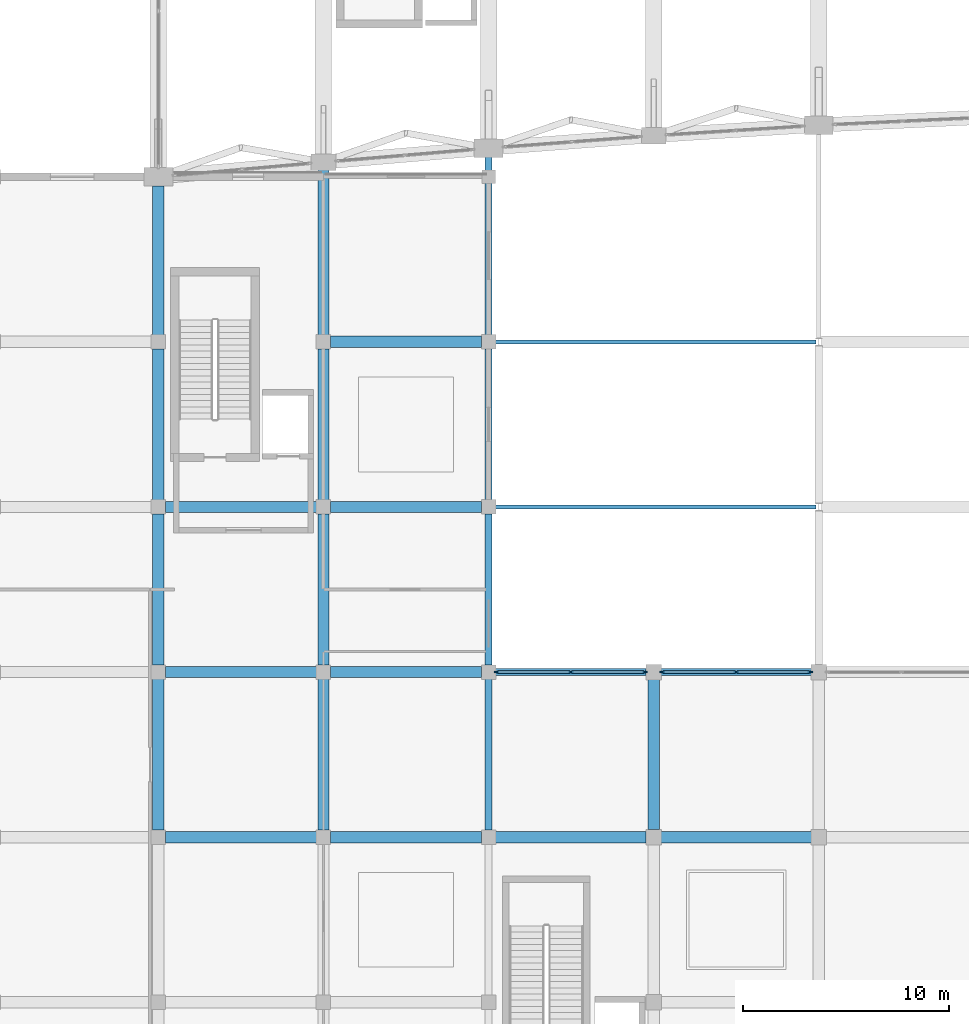
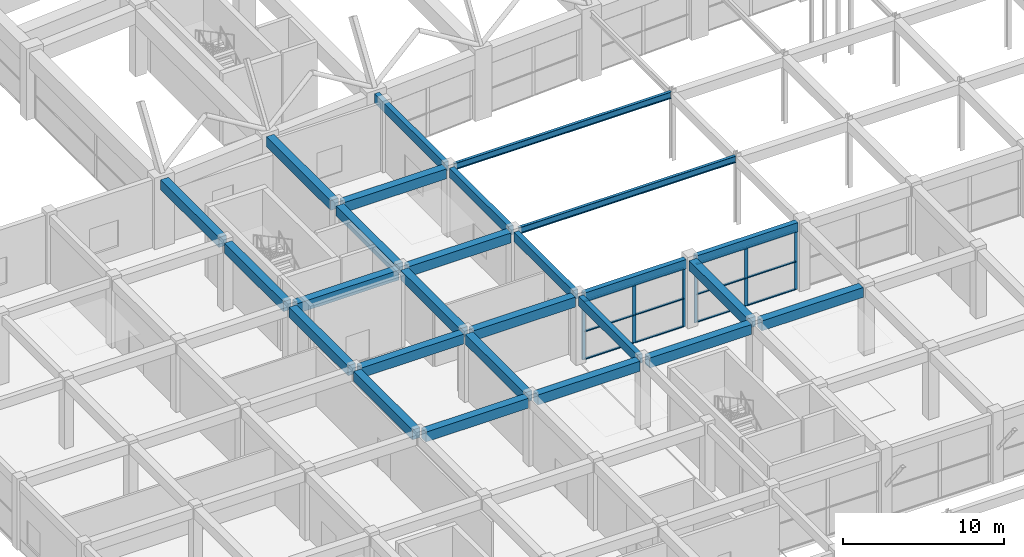
# One storey, part 12 of 69: 26 beams, 18 members, 2 elements without a shape of their own.
"""IFC4 building model written with IfcOpenShell, lengths in metres."""

from ifc_helpers import new_model, si_unit, direction, frame, origin, origin_2d, place, context, subcontext, project, spatial, rectangle, i_section, extrude, material, material_profile, profile_set, type_object, element, aggregate, save


model = new_model("IFC4")

# Units and contexts
model_context = context("Model", 3, precision=1e-05, world=origin(), true_north=direction((0.0, 1.0)))
body_context = subcontext(model_context, "Body", "Model", "MODEL_VIEW")
ifc_project = project(units=[si_unit("LENGTHUNIT", "METRE"), si_unit("AREAUNIT", "SQUARE_METRE"), si_unit("VOLUMEUNIT", "CUBIC_METRE"), si_unit("PLANEANGLEUNIT", "RADIAN"), si_unit("MASSUNIT", "GRAM", prefix="KILO")], contexts=[model_context])

# Site, building, storey
site_placement = place(None, origin())
site = spatial("IfcSite", under=ifc_project, at=site_placement, CompositionType="ELEMENT")
building_placement = place(site_placement, origin())
building = spatial("IfcBuilding", under=site, at=building_placement, Name="Kenh Van Central Station", CompositionType="ELEMENT")
storey_placement = place(building_placement, frame((0.0, 0.0, 5.39990234375)))
storey = spatial("IfcBuildingStorey", under=building, at=storey_placement, Name="L01", CompositionType="ELEMENT", Elevation=5.39990234375)

# Beams
ifc_material_1 = material(Name="Concrete C35/45", Category="concrete")
ifc_material_profile_1 = material_profile(ifc_material_1, rectangle(XDim=0.550048828125, YDim=0.75, at=origin_2d()), Name="RC 550x750")
ifc_profile_set_1 = profile_set([ifc_material_profile_1], Name="Concrete C35/45")
beam_type_1 = type_object("IfcBeamType", Name="BM-RC-550x750", PredefinedType="BEAM", material=ifc_profile_set_1)
for number, where, z_axis, x_axis, name in (
    (1, (32.340087890625, 32.0, 4.76513671875), (1.0, 0.0, 0.0), (0.0, 1.0, 0.0), "L01 beam 0674"),
    (2, (40.340087890625, 32.0, 4.76513671875), (1.0, 0.0, 0.0), (0.0, 1.0, 0.0), "L01 beam 0675"),
):
    element("IfcBeam", number, at=place(storey_placement, frame(where, z_axis=z_axis, x_axis=x_axis)), inside=storey, type_object=beam_type_1, Name=name, PredefinedType="BEAM", context=body_context, shape_type="SweptSolid", body=[
        extrude(rectangle(XDim=0.550048828125, YDim=0.75, at=origin_2d()), origin(), (0.0, 0.0, 1.0), 7.31982421875),
    ])
beam_1_placement = place(storey_placement, frame((48.340087890625, 32.0, 4.755126953125), z_axis=(1.0, 0.0, 0.0), x_axis=(0.0, 1.0, 0.0)))
element("IfcBeam", 3, at=beam_1_placement, inside=storey, type_object=beam_type_1, Name="L01 beam 0676", PredefinedType="BEAM", context=body_context, shape_type="SweptSolid", body=[
    extrude(rectangle(XDim=0.550048828125, YDim=0.75, at=origin_2d()), origin(), (0.0, 0.0, 1.0), 7.294921875),
])
beam_2_placement = place(storey_placement, frame((56.364990234375, 32.0, 4.755126953125), z_axis=(1.0, 0.0, 0.0), x_axis=(0.0, 1.0, 0.0)))
element("IfcBeam", 4, at=beam_2_placement, inside=storey, type_object=beam_type_1, Name="L01 beam 0677", PredefinedType="BEAM", context=body_context, shape_type="SweptSolid", body=[
    extrude(rectangle(XDim=0.550048828125, YDim=0.75, at=origin_2d()), origin(), (0.0, 0.0, 1.0), 7.27001953125),
])
for number, where, z_axis, x_axis, name in (
    (5, (32.340087890625, 40.0, 4.76513671875), (1.0, 0.0, 0.0), (0.0, 1.0, 0.0), "L01 beam 0690"),
    (6, (40.340087890625, 40.0, 4.76513671875), (1.0, 0.0, 0.0), (0.0, 1.0, 0.0), "L01 beam 0691"),
    (7, (32.340087890625, 48.0, 4.76513671875), (1.0, 0.0, 0.0), (0.0, 1.0, 0.0), "L01 beam 0710"),
    (8, (40.340087890625, 48.0, 4.76513671875), (1.0, 0.0, 0.0), (0.0, 1.0, 0.0), "L01 beam 0711"),
    (9, (40.340087890625, 56.0, 4.76513671875), (1.0, 0.0, 0.0), (0.0, 1.0, 0.0), "L01 beam 0726"),
    (10, (32.0, 32.340087890625, 4.76513671875), (0.0, 1.0, 0.0), (-1.0, 0.0, 0.0), "L01 beam 0788"),
    (11, (32.0, 40.340087890625, 4.76513671875), (0.0, 1.0, 0.0), (-1.0, 0.0, 0.0), "L01 beam 0789"),
    (12, (32.0, 48.340087890625, 4.76513671875), (0.0, 1.0, 0.0), (-1.0, 0.0, 0.0), "L01 beam 0790"),
):
    element("IfcBeam", number, at=place(storey_placement, frame(where, z_axis=z_axis, x_axis=x_axis)), inside=storey, type_object=beam_type_1, Name=name, PredefinedType="BEAM", context=body_context, shape_type="SweptSolid", body=[
        extrude(rectangle(XDim=0.550048828125, YDim=0.75, at=origin_2d()), origin(), (0.0, 0.0, 1.0), 7.31982421875),
    ])
beam_3_placement = place(storey_placement, frame((32.0, 56.340087890625, 4.76513671875), z_axis=(0.0, 1.0, 0.0), x_axis=(-1.0, 0.0, 0.0)))
element("IfcBeam", 13, at=beam_3_placement, inside=storey, type_object=beam_type_1, Name="L01 beam 0791", PredefinedType="BEAM", context=body_context, shape_type="SweptSolid", body=[
    extrude(rectangle(XDim=0.550048828125, YDim=0.75, at=origin_2d()), origin(), (0.0, 0.0, 1.0), 7.219970703125),
])
for number, where, z_axis, x_axis, name in (
    (14, (40.0, 32.340087890625, 4.76513671875), (0.0, 1.0, 0.0), (-1.0, 0.0, 0.0), "L01 beam 0795"),
    (15, (40.0, 40.340087890625, 4.76513671875), (0.0, 1.0, 0.0), (-1.0, 0.0, 0.0), "L01 beam 0796"),
    (16, (40.0, 48.340087890625, 4.76513671875), (0.0, 1.0, 0.0), (-1.0, 0.0, 0.0), "L01 beam 0797"),
):
    element("IfcBeam", number, at=place(storey_placement, frame(where, z_axis=z_axis, x_axis=x_axis)), inside=storey, type_object=beam_type_1, Name=name, PredefinedType="BEAM", context=body_context, shape_type="SweptSolid", body=[
        extrude(rectangle(XDim=0.550048828125, YDim=0.75, at=origin_2d()), origin(), (0.0, 0.0, 1.0), 7.31982421875),
    ])
beam_4_placement = place(storey_placement, frame((40.0, 56.340087890625, 4.76513671875), z_axis=(0.0, 1.0, 0.0), x_axis=(-1.0, 0.0, 0.0)))
element("IfcBeam", 17, at=beam_4_placement, inside=storey, type_object=beam_type_1, Name="L01 beam 0798", PredefinedType="BEAM", context=body_context, shape_type="SweptSolid", body=[
    extrude(rectangle(XDim=0.550048828125, YDim=0.75, at=origin_2d()), origin(), (0.0, 0.0, 1.0), 7.98193359375),
])
beam_5_placement = place(storey_placement, frame((56.0, 32.364990234375, 4.755126953125), z_axis=(0.0, 1.0, 0.0), x_axis=(-1.0, 0.0, 0.0)))
element("IfcBeam", 18, at=beam_5_placement, inside=storey, type_object=beam_type_1, Name="L01 beam 0808", PredefinedType="BEAM", context=body_context, shape_type="SweptSolid", body=[
    extrude(rectangle(XDim=0.550048828125, YDim=0.75, at=origin_2d()), origin(), (0.0, 0.0, 1.0), 7.27001953125),
])
ifc_material_2 = material(Name="Steel S355", Category="steel")
ifc_material_profile_2 = material_profile(ifc_material_2, i_section(OverallWidth=0.199951171875, OverallDepth=0.5, WebThickness=0.01025390625, FlangeThickness=0.01611328125, FilletRadius=0.02099609375, at=origin_2d()), Name="IPE 500")
ifc_profile_set_2 = profile_set([ifc_material_profile_2], Name="Steel S355")
beam_type_2 = type_object("IfcBeamType", Name="BM-STL-IPE500", PredefinedType="BEAM", material=ifc_profile_set_2)
for number, where, z_axis, x_axis, name in (
    (19, (48.340087890625, 48.0, 4.93017578125), (1.0, 0.0, 0.0), (0.0, 1.0, 0.0), "L01 beam 0712"),
    (20, (48.340087890625, 56.0, 4.93017578125), (1.0, 0.0, 0.0), (0.0, 1.0, 0.0), "L01 beam 0727"),
):
    element("IfcBeam", number, at=place(storey_placement, frame(where, z_axis=z_axis, x_axis=x_axis)), inside=storey, type_object=beam_type_2, Name=name, PredefinedType="BEAM", context=body_context, shape_type="SweptSolid", body=[
        extrude(i_section(OverallWidth=0.199951171875, OverallDepth=0.5, WebThickness=0.01025390625, FlangeThickness=0.01611328125, FilletRadius=0.02099609375, at=origin_2d()), origin(), (0.0, 0.0, 1.0), 15.52001953125),
    ])

# Curtain wall, members
ifc_material_3 = material(Name="Champagne anodised aluminium", Category="aluminium")
curtain_wall_type = type_object("IfcCurtainWallType", Name="CW-CONC-B", PredefinedType="NOTDEFINED", material=ifc_material_3)
curtain_wall_1_placement = place(storey_placement, origin())
curtain_wall_1 = element("IfcCurtainWall", 21, at=curtain_wall_1_placement, inside=storey, type_object=curtain_wall_type, Name="L01 curtain wall 119", PredefinedType="NOTDEFINED")
ifc_material_profile_3 = material_profile(ifc_material_3, rectangle(XDim=0.08203125, YDim=0.22509765625, at=origin_2d()), Name="AL 82x225")
ifc_profile_set_3 = profile_set([ifc_material_profile_3], Name="Champagne anodised aluminium")
member_type_1 = type_object("IfcMemberType", Name="CWM-70x180", PredefinedType="MULLION", material=ifc_profile_set_3)
member_1_placement = place(storey_placement, frame((63.583984375, 40.0, 0.0), z_axis=(0.0, 0.0, 1.0), x_axis=(0.0, -1.0, 0.0)))
member_1 = element("IfcMember", 22, at=member_1_placement, type_object=member_type_1, Name="CW-04 mullion 1", PredefinedType="MULLION", context=body_context, shape_type="SweptSolid", body=[
    extrude(rectangle(XDim=0.08203125, YDim=0.22509765625, at=origin_2d()), origin(), (0.0, 0.0, 1.0), 4.43017578125),
])
member_2_placement = place(storey_placement, frame((60.0, 40.0, 0.0), z_axis=(0.0, 0.0, 1.0), x_axis=(0.0, -1.0, 0.0)))
member_2 = element("IfcMember", 23, at=member_2_placement, type_object=member_type_1, Name="CW-04 mullion 2", PredefinedType="MULLION", context=body_context, shape_type="SweptSolid", body=[
    extrude(rectangle(XDim=0.08203125, YDim=0.22509765625, at=origin_2d()), origin(), (0.0, 0.0, 1.0), 4.43017578125),
])
member_3_placement = place(storey_placement, frame((56.416015625, 40.0, 0.0), z_axis=(0.0, 0.0, 1.0), x_axis=(0.0, -1.0, 0.0)))
member_3 = element("IfcMember", 24, at=member_3_placement, type_object=member_type_1, Name="CW-04 mullion 3", PredefinedType="MULLION", context=body_context, shape_type="SweptSolid", body=[
    extrude(rectangle(XDim=0.08203125, YDim=0.22509765625, at=origin_2d()), origin(), (0.0, 0.0, 1.0), 4.43017578125),
])

curtain_wall_2_placement = place(storey_placement, origin())
curtain_wall_2 = element("IfcCurtainWall", 25, at=curtain_wall_2_placement, inside=storey, type_object=curtain_wall_type, Name="L01 curtain wall 120", PredefinedType="NOTDEFINED")
member_4_placement = place(storey_placement, frame((55.583984375, 40.0, 0.0), z_axis=(0.0, 0.0, 1.0), x_axis=(0.0, -1.0, 0.0)))
member_4 = element("IfcMember", 26, at=member_4_placement, type_object=member_type_1, Name="CW-04 mullion 1", PredefinedType="MULLION", context=body_context, shape_type="SweptSolid", body=[
    extrude(rectangle(XDim=0.08203125, YDim=0.22509765625, at=origin_2d()), origin(), (0.0, 0.0, 1.0), 4.43017578125),
])
member_5_placement = place(storey_placement, frame((51.987548828125, 40.0, 0.0), z_axis=(0.0, 0.0, 1.0), x_axis=(0.0, -1.0, 0.0)))
member_5 = element("IfcMember", 27, at=member_5_placement, type_object=member_type_1, Name="CW-04 mullion 2", PredefinedType="MULLION", context=body_context, shape_type="SweptSolid", body=[
    extrude(rectangle(XDim=0.08203125, YDim=0.22509765625, at=origin_2d()), origin(), (0.0, 0.0, 1.0), 4.43017578125),
])
member_6_placement = place(storey_placement, frame((48.39111328125, 40.0, 0.0), z_axis=(0.0, 0.0, 1.0), x_axis=(0.0, -1.0, 0.0)))
member_6 = element("IfcMember", 28, at=member_6_placement, type_object=member_type_1, Name="CW-04 mullion 3", PredefinedType="MULLION", context=body_context, shape_type="SweptSolid", body=[
    extrude(rectangle(XDim=0.08203125, YDim=0.22509765625, at=origin_2d()), origin(), (0.0, 0.0, 1.0), 4.43017578125),
])

# Member
ifc_material_profile_4 = material_profile(ifc_material_3, rectangle(XDim=0.155029296875, YDim=0.072021484375, at=origin_2d()), Name="AL 155x72")
ifc_profile_set_4 = profile_set([ifc_material_profile_4], Name="Champagne anodised aluminium")
member_type_2 = type_object("IfcMemberType", Name="CWT-120x60", PredefinedType="USERDEFINED", material=ifc_profile_set_4)
member_7_placement = place(storey_placement, frame((63.54296875, 40.0, 0.0361328125), z_axis=(-1.0, 0.0, 0.0), x_axis=(0.0, -1.0, 0.0)))
member_7 = element("IfcMember", 29, at=member_7_placement, type_object=member_type_2, Name="CW-04 transom 1.1", ObjectType="TRANSOM", PredefinedType="USERDEFINED", context=body_context, shape_type="SweptSolid", body=[
    extrude(rectangle(XDim=0.155029296875, YDim=0.072021484375, at=origin_2d()), origin(), (0.0, 0.0, 1.0), 3.501953125),
])

member_8_placement = place(storey_placement, frame((63.54296875, 40.0, 2.12646484375), z_axis=(-1.0, 0.0, 0.0), x_axis=(0.0, -1.0, 0.0)))
member_8 = element("IfcMember", 30, at=member_8_placement, type_object=member_type_2, Name="CW-04 transom 1.2", ObjectType="TRANSOM", PredefinedType="USERDEFINED", context=body_context, shape_type="SweptSolid", body=[
    extrude(rectangle(XDim=0.155029296875, YDim=0.072021484375, at=origin_2d()), origin(), (0.0, 0.0, 1.0), 3.501953125),
])

member_9_placement = place(storey_placement, frame((63.54296875, 40.0, 4.39404296875), z_axis=(-1.0, 0.0, 0.0), x_axis=(0.0, -1.0, 0.0)))
member_9 = element("IfcMember", 31, at=member_9_placement, type_object=member_type_2, Name="CW-04 transom 1.3", ObjectType="TRANSOM", PredefinedType="USERDEFINED", context=body_context, shape_type="SweptSolid", body=[
    extrude(rectangle(XDim=0.155029296875, YDim=0.072021484375, at=origin_2d()), origin(), (0.0, 0.0, 1.0), 3.501953125),
])

member_10_placement = place(storey_placement, frame((59.958984375, 40.0, 0.0361328125), z_axis=(-1.0, 0.0, 0.0), x_axis=(0.0, -1.0, 0.0)))
member_10 = element("IfcMember", 32, at=member_10_placement, type_object=member_type_2, Name="CW-04 transom 2.1", ObjectType="TRANSOM", PredefinedType="USERDEFINED", context=body_context, shape_type="SweptSolid", body=[
    extrude(rectangle(XDim=0.155029296875, YDim=0.072021484375, at=origin_2d()), origin(), (0.0, 0.0, 1.0), 3.501953125),
])

member_11_placement = place(storey_placement, frame((59.958984375, 40.0, 2.12646484375), z_axis=(-1.0, 0.0, 0.0), x_axis=(0.0, -1.0, 0.0)))
member_11 = element("IfcMember", 33, at=member_11_placement, type_object=member_type_2, Name="CW-04 transom 2.2", ObjectType="TRANSOM", PredefinedType="USERDEFINED", context=body_context, shape_type="SweptSolid", body=[
    extrude(rectangle(XDim=0.155029296875, YDim=0.072021484375, at=origin_2d()), origin(), (0.0, 0.0, 1.0), 3.501953125),
])

member_12_placement = place(storey_placement, frame((59.958984375, 40.0, 4.39404296875), z_axis=(-1.0, 0.0, 0.0), x_axis=(0.0, -1.0, 0.0)))
member_12 = element("IfcMember", 34, at=member_12_placement, type_object=member_type_2, Name="CW-04 transom 2.3", ObjectType="TRANSOM", PredefinedType="USERDEFINED", context=body_context, shape_type="SweptSolid", body=[
    extrude(rectangle(XDim=0.155029296875, YDim=0.072021484375, at=origin_2d()), origin(), (0.0, 0.0, 1.0), 3.501953125),
])

aggregate(curtain_wall_1, [member_1, member_2, member_3, member_7, member_8, member_9, member_10, member_11, member_12])

member_13_placement = place(storey_placement, frame((55.54296875, 40.0, 0.0361328125), z_axis=(-1.0, 0.0, 0.0), x_axis=(0.0, -1.0, 0.0)))
member_13 = element("IfcMember", 35, at=member_13_placement, type_object=member_type_2, Name="CW-04 transom 1.1", ObjectType="TRANSOM", PredefinedType="USERDEFINED", context=body_context, shape_type="SweptSolid", body=[
    extrude(rectangle(XDim=0.155029296875, YDim=0.072021484375, at=origin_2d()), origin(), (0.0, 0.0, 1.0), 3.514404296875),
])

member_14_placement = place(storey_placement, frame((55.54296875, 40.0, 2.12646484375), z_axis=(-1.0, 0.0, 0.0), x_axis=(0.0, -1.0, 0.0)))
member_14 = element("IfcMember", 36, at=member_14_placement, type_object=member_type_2, Name="CW-04 transom 1.2", ObjectType="TRANSOM", PredefinedType="USERDEFINED", context=body_context, shape_type="SweptSolid", body=[
    extrude(rectangle(XDim=0.155029296875, YDim=0.072021484375, at=origin_2d()), origin(), (0.0, 0.0, 1.0), 3.514404296875),
])

member_15_placement = place(storey_placement, frame((55.54296875, 40.0, 4.39404296875), z_axis=(-1.0, 0.0, 0.0), x_axis=(0.0, -1.0, 0.0)))
member_15 = element("IfcMember", 37, at=member_15_placement, type_object=member_type_2, Name="CW-04 transom 1.3", ObjectType="TRANSOM", PredefinedType="USERDEFINED", context=body_context, shape_type="SweptSolid", body=[
    extrude(rectangle(XDim=0.155029296875, YDim=0.072021484375, at=origin_2d()), origin(), (0.0, 0.0, 1.0), 3.514404296875),
])

member_16_placement = place(storey_placement, frame((51.946533203125, 40.0, 0.0361328125), z_axis=(-1.0, 0.0, 0.0), x_axis=(0.0, -1.0, 0.0)))
member_16 = element("IfcMember", 38, at=member_16_placement, type_object=member_type_2, Name="CW-04 transom 2.1", ObjectType="TRANSOM", PredefinedType="USERDEFINED", context=body_context, shape_type="SweptSolid", body=[
    extrude(rectangle(XDim=0.155029296875, YDim=0.072021484375, at=origin_2d()), origin(), (0.0, 0.0, 1.0), 3.5146484375),
])

member_17_placement = place(storey_placement, frame((51.946533203125, 40.0, 2.12646484375), z_axis=(-1.0, 0.0, 0.0), x_axis=(0.0, -1.0, 0.0)))
member_17 = element("IfcMember", 39, at=member_17_placement, type_object=member_type_2, Name="CW-04 transom 2.2", ObjectType="TRANSOM", PredefinedType="USERDEFINED", context=body_context, shape_type="SweptSolid", body=[
    extrude(rectangle(XDim=0.155029296875, YDim=0.072021484375, at=origin_2d()), origin(), (0.0, 0.0, 1.0), 3.5146484375),
])

member_18_placement = place(storey_placement, frame((51.946533203125, 40.0, 4.39404296875), z_axis=(-1.0, 0.0, 0.0), x_axis=(0.0, -1.0, 0.0)))
member_18 = element("IfcMember", 40, at=member_18_placement, type_object=member_type_2, Name="CW-04 transom 2.3", ObjectType="TRANSOM", PredefinedType="USERDEFINED", context=body_context, shape_type="SweptSolid", body=[
    extrude(rectangle(XDim=0.155029296875, YDim=0.072021484375, at=origin_2d()), origin(), (0.0, 0.0, 1.0), 3.5146484375),
])

aggregate(curtain_wall_2, [member_4, member_5, member_6, member_13, member_14, member_15, member_16, member_17, member_18])

# Beams
ifc_material_profile_5 = material_profile(ifc_material_1, rectangle(XDim=0.35009765625, YDim=0.699951171875, at=origin_2d()), Name="RC 350x700")
ifc_profile_set_5 = profile_set([ifc_material_profile_5], Name="Concrete C35/45")
beam_type_3 = type_object("IfcBeamType", Name="SPD-RC-350x700", PredefinedType="SPANDREL", material=ifc_profile_set_5)
beam_6_placement = place(storey_placement, frame((48.340087890625, 40.0, 4.780029296875), z_axis=(1.0, 0.0, 0.0), x_axis=(0.0, 1.0, 0.0)))
element("IfcBeam", 41, at=beam_6_placement, inside=storey, type_object=beam_type_3, Name="L01 beam 0692", PredefinedType="SPANDREL", context=body_context, shape_type="SweptSolid", body=[
    extrude(rectangle(XDim=0.35009765625, YDim=0.699951171875, at=origin_2d()), origin(), (0.0, 0.0, 1.0), 7.294921875),
])
beam_7_placement = place(storey_placement, frame((56.364990234375, 40.0, 4.780029296875), z_axis=(1.0, 0.0, 0.0), x_axis=(0.0, 1.0, 0.0)))
element("IfcBeam", 42, at=beam_7_placement, inside=storey, type_object=beam_type_3, Name="L01 beam 0693", PredefinedType="SPANDREL", context=body_context, shape_type="SweptSolid", body=[
    extrude(rectangle(XDim=0.35009765625, YDim=0.699951171875, at=origin_2d()), origin(), (0.0, 0.0, 1.0), 7.27001953125),
])
for number, where, z_axis, x_axis, name in (
    (43, (48.0, 32.340087890625, 4.830078125), (0.0, 1.0, 0.0), (-1.0, 0.0, 0.0), "L01 beam 0802"),
    (44, (48.0, 40.340087890625, 4.830078125), (0.0, 1.0, 0.0), (-1.0, 0.0, 0.0), "L01 beam 0803"),
    (45, (48.0, 48.340087890625, 4.830078125), (0.0, 1.0, 0.0), (-1.0, 0.0, 0.0), "L01 beam 0804"),
):
    element("IfcBeam", number, at=place(storey_placement, frame(where, z_axis=z_axis, x_axis=x_axis)), inside=storey, type_object=beam_type_3, Name=name, PredefinedType="SPANDREL", context=body_context, shape_type="SweptSolid", body=[
        extrude(rectangle(XDim=0.35009765625, YDim=0.699951171875, at=origin_2d()), origin(), (0.0, 0.0, 1.0), 7.31982421875),
    ])
beam_8_placement = place(storey_placement, frame((48.0, 56.340087890625, 4.830078125), z_axis=(0.0, 1.0, 0.0), x_axis=(-1.0, 0.0, 0.0)))
element("IfcBeam", 46, at=beam_8_placement, inside=storey, type_object=beam_type_3, Name="L01 beam 0805", PredefinedType="SPANDREL", context=body_context, shape_type="SweptSolid", body=[
    extrude(rectangle(XDim=0.35009765625, YDim=0.699951171875, at=origin_2d()), origin(), (0.0, 0.0, 1.0), 8.6083984375),
])

save(model, "model.ifc")
